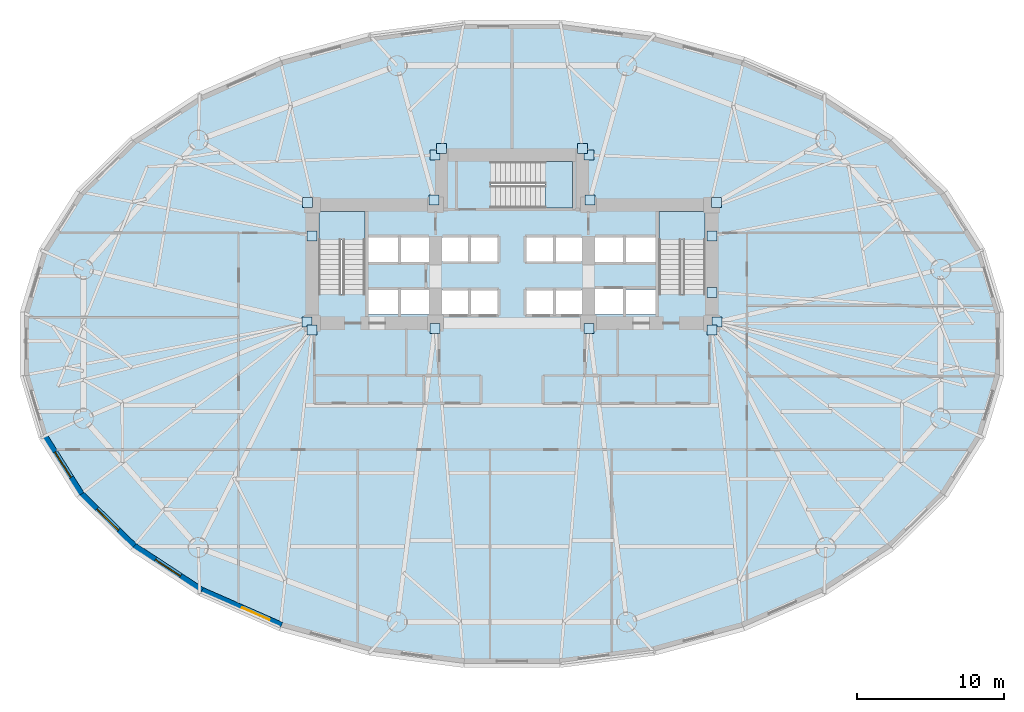
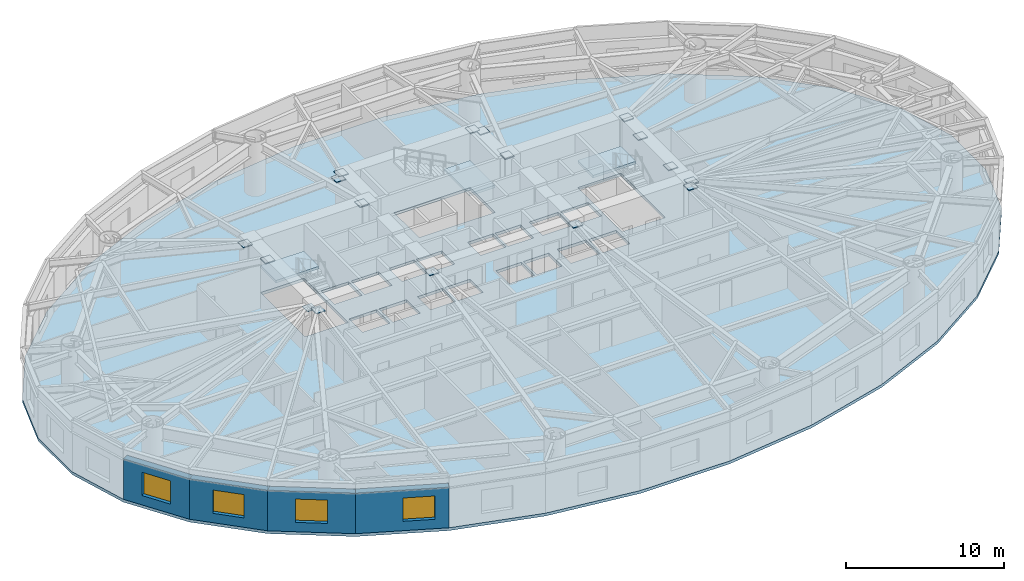
# One storey, part 4 of 14: 17 plates, 4 slabs, 4 walls, 4 windows, 4 openings, 3 elements without a shape of their own.
"""IFC4 building model written with IfcOpenShell, lengths in metres."""

from ifc_helpers import new_model, si_unit, direction, frame, frame_2d, origin, origin_2d, place, context, subcontext, project, spatial, polyline, rectangle, outline, extrude, material, layer, layer_set, type_object, element, fill, aggregate, save


model = new_model("IFC4")

# Units and contexts
model_context = context("Model", 3, precision=1e-05, world=origin(), true_north=direction((0.0, 1.0)))
body_context = subcontext(model_context, "Body", "Model", "MODEL_VIEW")
ifc_project = project(units=[si_unit("LENGTHUNIT", "METRE"), si_unit("AREAUNIT", "SQUARE_METRE"), si_unit("VOLUMEUNIT", "CUBIC_METRE"), si_unit("PLANEANGLEUNIT", "RADIAN"), si_unit("MASSUNIT", "GRAM", prefix="KILO")], contexts=[model_context])

# Site, building, storey
site_placement = place(None, origin())
site = spatial("IfcSite", under=ifc_project, at=site_placement, CompositionType="ELEMENT")
building_placement = place(site_placement, origin())
building = spatial("IfcBuilding", under=site, at=building_placement, Name="Keldmark Tower", CompositionType="ELEMENT")
storey_placement = place(building_placement, frame((0.0, 0.0, 14.39990234375)))
storey = spatial("IfcBuildingStorey", under=building, at=storey_placement, Name="L03", CompositionType="ELEMENT", Elevation=14.39990234375)

# Plates
ifc_material_1 = material(Name="Steel ASTM A572 Grade 50", Category="steel")
ifc_layer_1 = layer(ifc_material_1, 0.06005859375)
ifc_layer_set_1 = layer_set([ifc_layer_1], Name="Steel ASTM A572 Grade 50")
plate_type = type_object("IfcPlateType", Name="Belt Truss Kink Node Assembly KN01 60 mm", PredefinedType="USERDEFINED", material=ifc_layer_set_1)
for number, where, z_axis, x_axis, name in (
    (1, (13.940673828125, 1.48046875, 3.6416015625), (0.0, 0.0, 1.0), (1.0, 0.0, 0.0), "L03 Core Wall Cast-In Embed Plate 069"),
    (2, (13.904296875, 9.623046875, 3.6416015625), (0.0, 0.0, 1.0), (1.0, 0.0, 0.0), "L03 Core Wall Cast-In Embed Plate 070"),
    (3, (5.293212890625, 9.787353515625, 3.6416015625), (0.0, 0.0, 1.0), (1.0, 0.0, 0.0), "L03 Core Wall Cast-In Embed Plate 071"),
    (4, (-5.293212890625, 9.787353515625, 3.6416015625), (0.0, 0.0, 1.0), (1.0, 0.0, 0.0), "L03 Core Wall Cast-In Embed Plate 072"),
    (5, (-13.904296875, 9.623046875, 3.6416015625), (0.0, 0.0, 1.0), (1.0, 0.0, 0.0), "L03 Core Wall Cast-In Embed Plate 073"),
    (6, (-13.940673828125, 1.48046875, 3.6416015625), (0.0, 0.0, 1.0), (1.0, 0.0, 0.0), "L03 Core Wall Cast-In Embed Plate 074"),
    (7, (-5.24462890625, 1.052978515625, 3.6416015625), (0.0, 0.0, 1.0), (1.0, 0.0, 0.0), "L03 Core Wall Cast-In Embed Plate 075"),
    (8, (5.24462890625, 1.052978515625, 3.6416015625), (0.0, 0.0, 1.0), (1.0, 0.0, 0.0), "L03 Core Wall Cast-In Embed Plate 076"),
    (9, (5.25, 12.85009765625, 3.68408203125), (0.0, 0.0, 1.0), (1.0, 0.0, 0.0), "L03 Core Wall Cast-In Embed Plate 077"),
    (10, (-5.25, 12.85009765625, 3.68408203125), (0.0, 0.0, 1.0), (1.0, 0.0, 0.0), "L03 Core Wall Cast-In Embed Plate 078"),
    (11, (13.60009765625, 3.507080078125, 3.68408203125), (0.0, 0.0, 1.0), (1.0, 0.0, 0.0), "L03 Core Wall Cast-In Embed Plate 079"),
    (12, (13.60009765625, 7.343017578125, 3.68408203125), (0.0, 0.0, 1.0), (1.0, 0.0, 0.0), "L03 Core Wall Cast-In Embed Plate 080"),
    (13, (4.800048828125, 13.300048828125, 3.68408203125), (0.0, 0.0, 1.0), (1.0, 0.0, 0.0), "L03 Core Wall Cast-In Embed Plate 081"),
    (14, (-4.800048828125, 13.300048828125, 3.68408203125), (0.0, 0.0, 1.0), (1.0, 0.0, 0.0), "L03 Core Wall Cast-In Embed Plate 082"),
    (15, (-13.60009765625, 7.343017578125, 3.68408203125), (0.0, 0.0, 1.0), (1.0, 0.0, 0.0), "L03 Core Wall Cast-In Embed Plate 083"),
    (16, (-13.60009765625, 0.949951171875, 3.68408203125), (0.0, 0.0, 1.0), (1.0, 0.0, 0.0), "L03 Core Wall Cast-In Embed Plate 084"),
    (17, (13.60009765625, 0.949951171875, 3.68408203125), (0.0, 0.0, 1.0), (1.0, 0.0, 0.0), "L03 Core Wall Cast-In Embed Plate 085"),
):
    element("IfcPlate", number, at=place(storey_placement, frame(where, z_axis=z_axis, x_axis=x_axis)), inside=storey, type_object=plate_type, Name=name, ObjectType="CAP PLATE", PredefinedType="USERDEFINED", context=body_context, shape_type="SweptSolid", body=[
        extrude(rectangle(XDim=0.679931640625, YDim=0.679931640625, at=origin_2d()), origin(), (0.0, 0.0, 1.0), 0.054931640625),
    ])

# Stair, slab
ifc_material_2 = material(Name="Concrete C40/50", Category="concrete")
stair_type = type_object("IfcStairType", Name="Precast Concrete Core Exit Stair", PredefinedType="HALF_TURN_STAIR", material=ifc_material_2)
stair_1_placement = place(storey_placement, origin())
stair_1 = element("IfcStair", 18, at=stair_1_placement, inside=storey, type_object=stair_type, Name="L03 Exit Stair ST1", PredefinedType="HALF_TURN_STAIR")
ifc_material_3 = material(Name="Concrete C40/50", Category="concrete")
ifc_layer_2 = layer(ifc_material_3, 0.199951171875)
ifc_layer_set_2 = layer_set([ifc_layer_2], Name="Concrete C40/50")
slab_type_1 = type_object("IfcSlabType", Name="Reinforced Concrete Stair Landing 200 mm", PredefinedType="LANDING", material=ifc_layer_set_2)
slab_1_placement = place(storey_placement, frame((0.0, 0.0, 1.900146484375)))
slab_1 = element("IfcSlab", 19, at=slab_1_placement, type_object=slab_type_1, Name="ST1 landing 1", PredefinedType="LANDING", context=body_context, shape_type="SweptSolid", body=[
    extrude(outline(polyline([(-10.0, 7.070068359375), (-10.0, 9.0), (-13.14990234375, 9.0), (-13.14990234375, 7.070068359375), (-10.0, 7.070068359375)])), origin(), (0.0, 0.0, 1.0), 0.199951171875),
])
aggregate(stair_1, [slab_1])

stair_2_placement = place(storey_placement, origin())
stair_2 = element("IfcStair", 20, at=stair_2_placement, inside=storey, type_object=stair_type, Name="L03 Exit Stair ST2", PredefinedType="HALF_TURN_STAIR")
slab_2_placement = place(storey_placement, frame((0.0, 0.0, 1.900146484375)))
slab_2 = element("IfcSlab", 21, at=slab_2_placement, type_object=slab_type_1, Name="ST2 landing 1", PredefinedType="LANDING", context=body_context, shape_type="SweptSolid", body=[
    extrude(outline(polyline([(13.14990234375, 7.070068359375), (13.14990234375, 9.0), (10.0, 9.0), (10.0, 7.070068359375), (13.14990234375, 7.070068359375)])), origin(), (0.0, 0.0, 1.0), 0.199951171875),
])
aggregate(stair_2, [slab_2])

stair_3_placement = place(storey_placement, origin())
stair_3 = element("IfcStair", 22, at=stair_3_placement, inside=storey, type_object=stair_type, Name="L03 Exit Stair ST3", PredefinedType="HALF_TURN_STAIR")
slab_3_placement = place(storey_placement, frame((0.0, 0.0, 1.900146484375)))
slab_3 = element("IfcSlab", 23, at=slab_3_placement, type_object=slab_type_1, Name="ST3 landing 1", PredefinedType="LANDING", context=body_context, shape_type="SweptSolid", body=[
    extrude(outline(polyline([(2.2451171875, 9.25), (4.10498046875, 9.25), (4.10498046875, 12.39990234375), (2.2451171875, 12.39990234375), (2.2451171875, 9.25)])), origin(), (0.0, 0.0, 1.0), 0.199951171875),
])
aggregate(stair_3, [slab_3])

# Slab
ifc_material_4 = material(Name="Concrete C35/45", Category="concrete")
ifc_layer_3 = layer(ifc_material_4, 0.219970703125)
ifc_layer_set_3 = layer_set([ifc_layer_3], Name="Concrete C35/45")
slab_type_2 = type_object("IfcSlabType", Name="Sky Lobby Floor Slab 220 mm", PredefinedType="FLOOR", material=ifc_layer_set_3)
slab_4_placement = place(storey_placement, frame((0.0, 0.0, -0.219970703125)))
element("IfcSlab", 24, at=slab_4_placement, inside=storey, type_object=slab_type_2, Name="L03 Composite Structural Floor Slab", PredefinedType="FLOOR", context=body_context, shape_type="SweptSolid", body=[
    extrude(outline(polyline([(33.338623046875, 2.156494140625), (32.0576171875, 6.38623046875), (29.54443359375, 10.37060546875), (25.89599609375, 13.956787109375), (21.252197265625, 17.006103515625), (15.791748046875, 19.40234375), (9.724609375, 21.052734375), (3.28369140625, 21.89404296875), (-3.28369140625, 21.89404296875), (-9.724609375, 21.052734375), (-15.791748046875, 19.40234375), (-21.252197265625, 17.006103515625), (-25.89599609375, 13.956787109375), (-29.54443359375, 10.37060546875), (-32.0576171875, 6.38623046875), (-33.338623046875, 2.156494140625), (-33.338623046875, -2.156494140625), (-32.0576171875, -6.38623046875), (-29.54443359375, -10.37060546875), (-25.89599609375, -13.956787109375), (-21.252197265625, -17.006103515625), (-15.791748046875, -19.40234375), (-9.724609375, -21.052734375), (-3.28369140625, -21.89404296875), (3.28369140625, -21.89404296875), (9.724609375, -21.052734375), (15.791748046875, -19.40234375), (21.252197265625, -17.006103515625), (25.89599609375, -13.956787109375), (29.54443359375, -10.37060546875), (32.0576171875, -6.38623046875), (33.338623046875, -2.156494140625), (33.338623046875, 2.156494140625)]), holes=[polyline([(-10.0, 3.385009765625), (-10.0, 9.0), (-13.14990234375, 9.0), (-13.14990234375, 3.385009765625), (-10.0, 3.385009765625)]), polyline([(13.14990234375, 3.385009765625), (13.14990234375, 9.0), (10.0, 9.0), (10.0, 3.385009765625), (13.14990234375, 3.385009765625)]), polyline([(-1.43994140625, 9.25), (4.10498046875, 9.25), (4.10498046875, 12.39990234375), (-1.43994140625, 12.39990234375), (-1.43994140625, 9.25)]), polyline([(-9.75, 2.0), (-7.75, 2.0), (-7.75, 3.699951171875), (-9.75, 3.699951171875), (-9.75, 2.0)]), polyline([(7.75, 2.0), (9.75, 2.0), (9.75, 3.699951171875), (7.75, 3.699951171875), (7.75, 2.0)]), polyline([(5.449951171875, 2.0), (7.550048828125, 2.0), (7.550048828125, 3.75), (5.449951171875, 3.75), (5.449951171875, 2.0)]), polyline([(-4.800048828125, 2.0), (-2.949951171875, 2.0), (-2.949951171875, 3.64990234375), (-4.800048828125, 3.64990234375), (-4.800048828125, 2.0)]), polyline([(-2.800048828125, 2.0), (-0.949951171875, 2.0), (-0.949951171875, 3.64990234375), (-2.800048828125, 3.64990234375), (-2.800048828125, 2.0)]), polyline([(0.949951171875, 2.0), (2.800048828125, 2.0), (2.800048828125, 3.64990234375), (0.949951171875, 3.64990234375), (0.949951171875, 2.0)]), polyline([(2.949951171875, 2.0), (4.800048828125, 2.0), (4.800048828125, 3.64990234375), (2.949951171875, 3.64990234375), (2.949951171875, 2.0)]), polyline([(-4.800048828125, 5.60009765625), (-2.949951171875, 5.60009765625), (-2.949951171875, 7.25), (-4.800048828125, 7.25), (-4.800048828125, 5.60009765625)]), polyline([(-2.800048828125, 5.60009765625), (-0.949951171875, 5.60009765625), (-0.949951171875, 7.25), (-2.800048828125, 7.25), (-2.800048828125, 5.60009765625)]), polyline([(0.949951171875, 5.60009765625), (2.800048828125, 5.60009765625), (2.800048828125, 7.25), (0.949951171875, 7.25), (0.949951171875, 5.60009765625)]), polyline([(2.949951171875, 5.60009765625), (4.800048828125, 5.60009765625), (4.800048828125, 7.25), (2.949951171875, 7.25), (2.949951171875, 5.60009765625)]), polyline([(-9.75, 5.550048828125), (-7.75, 5.550048828125), (-7.75, 7.25), (-9.75, 7.25), (-9.75, 5.550048828125)]), polyline([(-7.550048828125, 5.550048828125), (-5.550048828125, 5.550048828125), (-5.550048828125, 7.25), (-7.550048828125, 7.25), (-7.550048828125, 5.550048828125)]), polyline([(-7.550048828125, 2.0), (-5.550048828125, 2.0), (-5.550048828125, 3.699951171875), (-7.550048828125, 3.699951171875), (-7.550048828125, 2.0)]), polyline([(5.449951171875, 5.550048828125), (7.550048828125, 5.550048828125), (7.550048828125, 7.25), (5.449951171875, 7.25), (5.449951171875, 5.550048828125)]), polyline([(7.75, 5.550048828125), (9.75, 5.550048828125), (9.75, 7.25), (7.75, 7.25), (7.75, 5.550048828125)])]), origin(), (0.0, 0.0, 1.0), 0.219970703125),
])

# Wall, opening, window
ifc_material_5 = material(Name="Ironspot Manganese Brick and Kasota Buff Limestone Cavity Assembly", Category="masonry")
ifc_layer_4 = layer(ifc_material_5, 0.47998046875)
ifc_layer_set_4 = layer_set([ifc_layer_4], Name="Ironspot Manganese Brick and Kasota Buff Limestone Cavity Assembly")
wall_type = type_object("IfcWallType", Name="Podium Brick and Limestone Cavity Wall 480 mm", PredefinedType="STANDARD", material=ifc_layer_set_4)
wall_1_placement = place(storey_placement, frame((-29.34130859375, -10.24267578125, 0.0), z_axis=(0.0, 0.0, 1.0), x_axis=(-0.53349762721, 0.845801561693, 0.0)))
wall_1 = element("IfcWall", 25, at=wall_1_placement, inside=storey, type_object=wall_type, Name="L03 Exterior Brick and Spandrel Wall 18", PredefinedType="STANDARD", context=body_context, shape_type="SweptSolid", body=[
    extrude(rectangle(XDim=4.710693359375, YDim=0.47998046875, at=frame_2d((2.35546875, 0.0))), origin(), (0.0, 0.0, 1.0), 3.109130859375),
])
opening_1_placement = place(wall_1_placement, frame((1.330322265625, 0.0, 0.719970703125)))
opening_1 = element("IfcOpeningElement", 26, at=opening_1_placement, cuts=wall_1, Name="Opening W-07", PredefinedType="OPENING", context=body_context, shape_type="SweptSolid", body=[
    extrude(rectangle(XDim=2.050048828125, YDim=1.800048828125, at=frame_2d((1.02490234375, 0.89990234375))), frame((0.0, 0.25, 0.0), z_axis=(0.0, -1.0, 0.0), x_axis=(1.0, 0.0, 0.0)), (0.0, 0.0, 1.0), 0.5),
])
ifc_material_6 = material(Name="Thermally Broken Anodized Aluminum and Triple Low-E Argon Glazing", Category="aluminium")
window_type = type_object("IfcWindowType", Name="Podium Mezzanine Punched Window 2050x1800", PartitioningType="DOUBLE_PANEL_VERTICAL", PredefinedType="WINDOW", material=ifc_material_6)
window_1_placement = place(opening_1_placement, origin())
window_1 = element("IfcWindow", 27, at=window_1_placement, inside=storey, type_object=window_type, Name="L03 Deep-Set Window 18", OverallHeight=1.800048828125, OverallWidth=2.050048828125, PartitioningType="SINGLE_PANEL", PredefinedType="WINDOW", context=body_context, shape_type="SweptSolid", body=[
    extrude(rectangle(XDim=2.050048828125, YDim=1.800048828125, at=frame_2d((1.02490234375, 0.89990234375))), frame((0.0, -0.010009765625, 0.0), z_axis=(0.0, -1.0, 0.0), x_axis=(1.0, 0.0, 0.0)), (0.0, 0.0, 1.0), 0.06005859375),
])
fill(opening_1, window_1)

wall_2_placement = place(storey_placement, frame((-25.727783203125, -13.785400390625, 0.0), z_axis=(0.0, 0.0, 1.0), x_axis=(-0.713189080178, 0.700971708355, 0.0)))
wall_2 = element("IfcWall", 28, at=wall_2_placement, inside=storey, type_object=wall_type, Name="L03 Exterior Brick and Spandrel Wall 19", PredefinedType="STANDARD", context=body_context, shape_type="SweptSolid", body=[
    extrude(rectangle(XDim=5.11572265625, YDim=0.47998046875, at=frame_2d((2.557861328125, 0.0))), origin(), (0.0, 0.0, 1.0), 3.109130859375),
])
opening_2_placement = place(wall_2_placement, frame((1.532958984375, 0.0, 0.719970703125)))
opening_2 = element("IfcOpeningElement", 29, at=opening_2_placement, cuts=wall_2, Name="Opening W-07", PredefinedType="OPENING", context=body_context, shape_type="SweptSolid", body=[
    extrude(rectangle(XDim=2.050048828125, YDim=1.800048828125, at=frame_2d((1.02490234375, 0.89990234375))), frame((0.0, 0.25, 0.0), z_axis=(0.0, -1.0, 0.0), x_axis=(1.0, 0.0, 0.0)), (0.0, 0.0, 1.0), 0.5),
])
window_2_placement = place(opening_2_placement, origin())
window_2 = element("IfcWindow", 30, at=window_2_placement, inside=storey, type_object=window_type, Name="L03 Deep-Set Window 19", OverallHeight=1.800048828125, OverallWidth=2.050048828125, PartitioningType="SINGLE_PANEL", PredefinedType="WINDOW", context=body_context, shape_type="SweptSolid", body=[
    extrude(rectangle(XDim=2.050048828125, YDim=1.800048828125, at=frame_2d((1.02490234375, 0.89990234375))), frame((0.0, -0.010009765625, 0.0), z_axis=(0.0, -1.0, 0.0), x_axis=(1.0, 0.0, 0.0)), (0.0, 0.0, 1.0), 0.06005859375),
])
fill(opening_2, window_2)

wall_3_placement = place(storey_placement, frame((-21.12060546875, -16.8056640625, 0.0), z_axis=(0.0, 0.0, 1.0), x_axis=(-0.835863918172, 0.548936708827, 0.0)))
wall_3 = element("IfcWall", 31, at=wall_3_placement, inside=storey, type_object=wall_type, Name="L03 Exterior Brick and Spandrel Wall 20", PredefinedType="STANDARD", context=body_context, shape_type="SweptSolid", body=[
    extrude(rectangle(XDim=5.555419921875, YDim=0.47998046875, at=frame_2d((2.77783203125, 0.0))), origin(), (0.0, 0.0, 1.0), 3.109130859375),
])
opening_3_placement = place(wall_3_placement, frame((1.752685546875, 0.0, 0.719970703125)))
opening_3 = element("IfcOpeningElement", 32, at=opening_3_placement, cuts=wall_3, Name="Opening W-07", PredefinedType="OPENING", context=body_context, shape_type="SweptSolid", body=[
    extrude(rectangle(XDim=2.050048828125, YDim=1.800048828125, at=frame_2d((1.02490234375, 0.89990234375))), frame((0.0, 0.25, 0.0), z_axis=(0.0, -1.0, 0.0), x_axis=(1.0, 0.0, 0.0)), (0.0, 0.0, 1.0), 0.5),
])
window_3_placement = place(opening_3_placement, origin())
window_3 = element("IfcWindow", 33, at=window_3_placement, inside=storey, type_object=window_type, Name="L03 Deep-Set Window 20", OverallHeight=1.800048828125, OverallWidth=2.050048828125, PartitioningType="SINGLE_PANEL", PredefinedType="WINDOW", context=body_context, shape_type="SweptSolid", body=[
    extrude(rectangle(XDim=2.050048828125, YDim=1.800048828125, at=frame_2d((1.02490234375, 0.89990234375))), frame((0.0, -0.010009765625, 0.0), z_axis=(0.0, -1.0, 0.0), x_axis=(1.0, 0.0, 0.0)), (0.0, 0.0, 1.0), 0.06005859375),
])
fill(opening_3, window_3)

wall_4_placement = place(storey_placement, frame((-15.6953125, -19.1826171875, 0.0), z_axis=(0.0, 0.0, 1.0), x_axis=(-0.91570760638, 0.401845218484, 0.0)))
wall_4 = element("IfcWall", 34, at=wall_4_placement, inside=storey, type_object=wall_type, Name="L03 Exterior Brick and Spandrel Wall 21", PredefinedType="STANDARD", context=body_context, shape_type="SweptSolid", body=[
    extrude(rectangle(XDim=5.963134765625, YDim=0.47998046875, at=frame_2d((2.9814453125, 0.0))), origin(), (0.0, 0.0, 1.0), 3.109130859375),
])
opening_4_placement = place(wall_4_placement, frame((0.892578125, 0.0, 0.719970703125)))
opening_4 = element("IfcOpeningElement", 35, at=opening_4_placement, cuts=wall_4, Name="Opening W-07", PredefinedType="OPENING", context=body_context, shape_type="SweptSolid", body=[
    extrude(rectangle(XDim=2.050048828125, YDim=1.800048828125, at=frame_2d((1.02490234375, 0.89990234375))), frame((0.0, 0.25, 0.0), z_axis=(0.0, -1.0, 0.0), x_axis=(1.0, 0.0, 0.0)), (0.0, 0.0, 1.0), 0.5),
])
window_4_placement = place(opening_4_placement, origin())
window_4 = element("IfcWindow", 36, at=window_4_placement, inside=storey, type_object=window_type, Name="L03 Deep-Set Window 21", OverallHeight=1.800048828125, OverallWidth=2.050048828125, PartitioningType="SINGLE_PANEL", PredefinedType="WINDOW", context=body_context, shape_type="SweptSolid", body=[
    extrude(rectangle(XDim=2.050048828125, YDim=1.800048828125, at=frame_2d((1.02490234375, 0.89990234375))), frame((0.0, -0.010009765625, 0.0), z_axis=(0.0, -1.0, 0.0), x_axis=(1.0, 0.0, 0.0)), (0.0, 0.0, 1.0), 0.06005859375),
])
fill(opening_4, window_4)

save(model, "model.ifc")
